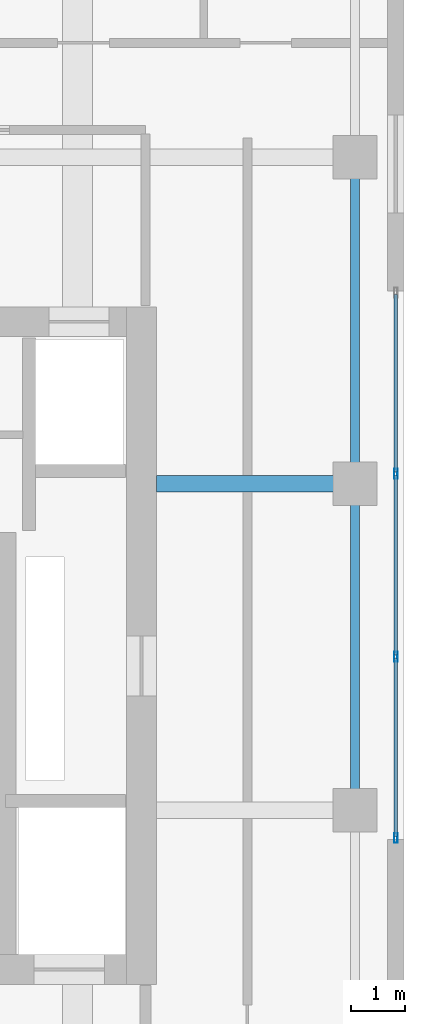
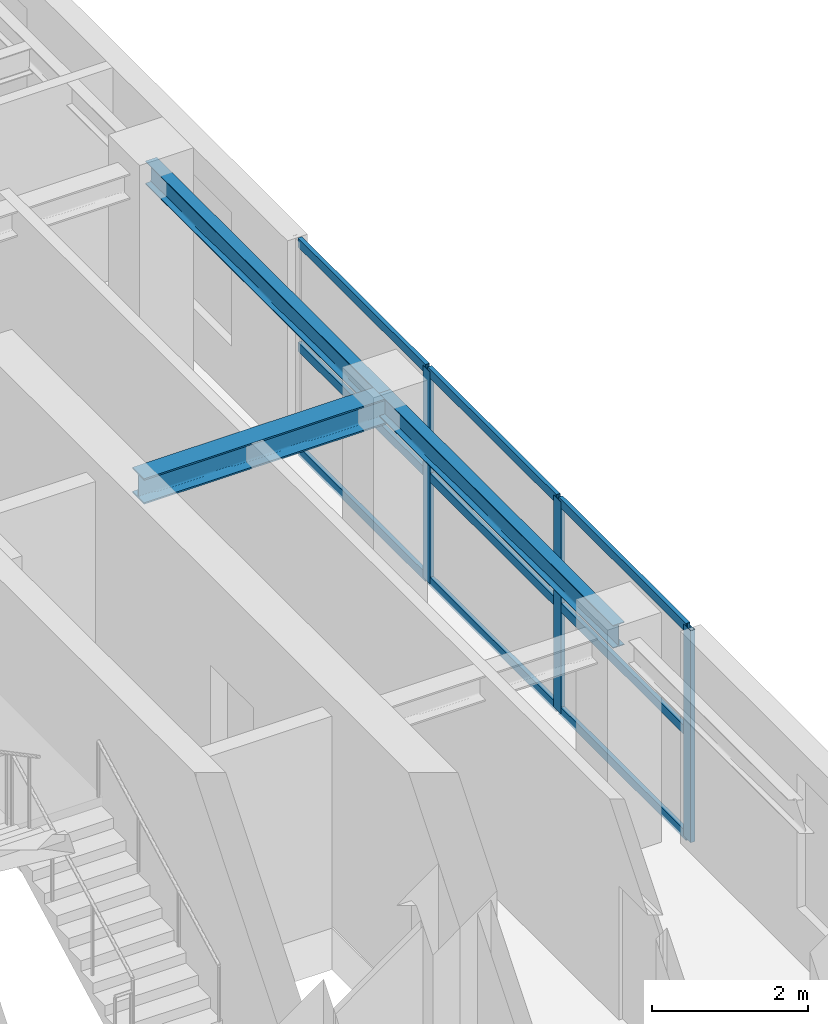
# One storey, part 10 of 21: 12 members, 3 beams, 1 element without a shape of its own.
"""IFC4 building model written with IfcOpenShell, lengths in metres."""

from ifc_helpers import new_model, si_unit, direction, frame, origin, origin_2d, place, context, subcontext, project, spatial, hollow_rectangle, i_section, extrude, source, transform, mapped, material, layer, layer_set, material_profile, profile_set, type_object, element, aggregate, save


model = new_model("IFC4")

# Units and contexts
model_context = context("Model", 3, precision=1e-05, world=origin(), true_north=direction((0.0, 1.0)))
body_context = subcontext(model_context, "Body", "Model", "MODEL_VIEW")
ifc_project = project(units=[si_unit("LENGTHUNIT", "METRE"), si_unit("AREAUNIT", "SQUARE_METRE"), si_unit("VOLUMEUNIT", "CUBIC_METRE"), si_unit("PLANEANGLEUNIT", "RADIAN"), si_unit("MASSUNIT", "GRAM", prefix="KILO")], contexts=[model_context])

# Site, building, storey
site_placement = place(None, origin())
site = spatial("IfcSite", under=ifc_project, at=site_placement, CompositionType="ELEMENT")
building_placement = place(site_placement, origin())
building = spatial("IfcBuilding", under=site, at=building_placement, Name="Khoralis Quay Care Tower", CompositionType="ELEMENT")
storey_placement = place(building_placement, frame((0.0, 0.0, 267.300048828125)))
storey = spatial("IfcBuildingStorey", under=building, at=storey_placement, Name="L70", CompositionType="ELEMENT", Elevation=267.300048828125)

# Beams
ifc_material_1 = material(Name="Steel S355", Category="steel")
ifc_material_profile_1 = material_profile(ifc_material_1, i_section(OverallWidth=0.169921875, OverallDepth=0.360107421875, WebThickness=0.008056640625, FlangeThickness=0.0126953125, FilletRadius=0.01806640625, at=origin_2d()), Name="Steel S355")
ifc_profile_set_1 = profile_set([ifc_material_profile_1], Name="Steel S355")
beam_type_1 = type_object("IfcBeamType", Name="BM-IPE360", PredefinedType="SPANDREL", material=ifc_profile_set_1)
shared_shape_1 = source(origin(), body_context, "Body", "SweptSolid", [
    extrude(i_section(OverallWidth=0.169921875, OverallDepth=0.360107421875, WebThickness=0.008056640625, FlangeThickness=0.0126953125, FilletRadius=0.01806640625, at=origin_2d()), origin(), (0.0, 0.0, 1.0), 6.0),
])
for number, where, z_axis, x_axis, name in (
    (1, (41.10009765625, 18.0, 3.139892578125), (0.0, 1.0, 0.0), (-1.0, 0.0, 0.0), "BM-TSP-L70-14"),
    (2, (41.10009765625, 24.0, 3.139892578125), (0.0, 1.0, 0.0), (-1.0, 0.0, 0.0), "BM-TSP-L70-15"),
):
    element("IfcBeam", number, at=place(storey_placement, frame(where, z_axis=z_axis, x_axis=x_axis)), inside=storey, type_object=beam_type_1, Name=name, PredefinedType="SPANDREL", context=body_context, shape_type="MappedRepresentation", body=[
        mapped(shared_shape_1, transform((0.0, 0.0, 0.0), scale=1.0)),
    ])
ifc_material_profile_2 = material_profile(ifc_material_1, i_section(OverallWidth=0.300048828125, OverallDepth=0.39990234375, WebThickness=0.013427734375, FlangeThickness=0.02392578125, FilletRadius=0.027099609375, at=origin_2d()), Name="Steel S355")
ifc_profile_set_2 = profile_set([ifc_material_profile_2], Name="Steel S355")
beam_type_2 = type_object("IfcBeamType", Name="BM-HEB400", PredefinedType="BEAM", material=ifc_profile_set_2)
shared_shape_2 = source(origin(), body_context, "Body", "SweptSolid", [
    extrude(i_section(OverallWidth=0.300048828125, OverallDepth=0.39990234375, WebThickness=0.013427734375, FlangeThickness=0.02392578125, FilletRadius=0.027099609375, at=origin_2d()), origin(), (0.0, 0.0, 1.0), 3.652099609375),
])
beam_placement = place(storey_placement, frame((37.447998046875, 24.0, 3.119873046875), z_axis=(1.0, 0.0, 0.0), x_axis=(0.0, 1.0, 0.0)))
element("IfcBeam", 3, at=beam_placement, inside=storey, type_object=beam_type_2, Name="BM-TGXE-L70-240", PredefinedType="BEAM", context=body_context, shape_type="MappedRepresentation", body=[
    mapped(shared_shape_2, transform((0.0, 0.0, 0.0), scale=1.0)),
])

# Curtain wall, members
ifc_material_2 = material(Name="Pale anodised aluminium", Category="aluminium")
ifc_layer = layer(ifc_material_2, 0.159912109375)
ifc_layer_set = layer_set([ifc_layer], Name="Pale anodised aluminium")
curtain_wall_type = type_object("IfcCurtainWallType", Name="CW-SYS-Z3", PredefinedType="NOTDEFINED", material=ifc_layer_set)
curtain_wall_placement = place(storey_placement, origin())
curtain_wall = element("IfcCurtainWall", 4, at=curtain_wall_placement, inside=storey, type_object=curtain_wall_type, Name="L70 Unitised Curtain Wall CW-L70-P1-E5", PredefinedType="NOTDEFINED")
ifc_material_profile_3 = material_profile(ifc_material_2, hollow_rectangle(XDim=0.06494140625, YDim=0.179931640625, WallThickness=0.00390625, at=origin_2d()), Name="Pale anodised aluminium")
ifc_profile_set_3 = profile_set([ifc_material_profile_3], Name="Pale anodised aluminium")
member_type_1 = type_object("IfcMemberType", Name="CW-MUL-180", PredefinedType="MULLION", material=ifc_profile_set_3)
shared_shape_3 = source(origin(), body_context, "Body", "SweptSolid", [
    extrude(hollow_rectangle(XDim=0.06494140625, YDim=0.179931640625, WallThickness=0.00390625, at=origin_2d()), origin(), (0.0, 0.0, 1.0), 3.320068359375),
])
member_1_placement = place(storey_placement, frame((41.85009765625, 17.489990234375, 0.0), z_axis=(0.0, 0.0, 1.0), x_axis=(-1.0, 0.0, 0.0)))
member_1 = element("IfcMember", 5, at=member_1_placement, type_object=member_type_1, Name="CW3 mullion 1", PredefinedType="MULLION", context=body_context, shape_type="MappedRepresentation", body=[
    mapped(shared_shape_3, transform((0.0, 0.0, 0.0), scale=1.0)),
])
member_2_placement = place(storey_placement, frame((41.85009765625, 20.820068359375, 0.0), z_axis=(0.0, 0.0, 1.0), x_axis=(-1.0, 0.0, 0.0)))
member_2 = element("IfcMember", 6, at=member_2_placement, type_object=member_type_1, Name="CW3 mullion 2", PredefinedType="MULLION", context=body_context, shape_type="MappedRepresentation", body=[
    mapped(shared_shape_3, transform((0.0, 0.0, 0.0), scale=1.0)),
])
member_3_placement = place(storey_placement, frame((41.85009765625, 24.179931640625, 0.0), z_axis=(0.0, 0.0, 1.0), x_axis=(-1.0, 0.0, 0.0)))
member_3 = element("IfcMember", 7, at=member_3_placement, type_object=member_type_1, Name="CW3 mullion 3", PredefinedType="MULLION", context=body_context, shape_type="MappedRepresentation", body=[
    mapped(shared_shape_3, transform((0.0, 0.0, 0.0), scale=1.0)),
])
ifc_material_profile_4 = material_profile(ifc_material_2, hollow_rectangle(XDim=0.06005859375, YDim=0.139892578125, WallThickness=0.00390625, at=origin_2d()), Name="Pale anodised aluminium")
ifc_profile_set_4 = profile_set([ifc_material_profile_4], Name="Pale anodised aluminium")
member_type_2 = type_object("IfcMemberType", Name="CW-TRN-140", PredefinedType="USERDEFINED", material=ifc_profile_set_4)
shared_shape_4 = source(origin(), body_context, "Body", "SweptSolid", [
    extrude(hollow_rectangle(XDim=0.06005859375, YDim=0.139892578125, WallThickness=0.00390625, at=origin_2d()), origin(), (0.0, 0.0, 1.0), 3.27001953125),
])
member_4_placement = place(storey_placement, frame((41.85009765625, 17.52001953125, 0.030029296875), z_axis=(0.0, 1.0, 0.0), x_axis=(-1.0, 0.0, 0.0)))
member_4 = element("IfcMember", 8, at=member_4_placement, type_object=member_type_2, Name="CW3 transom 1.1", ObjectType="TRANSOM", PredefinedType="USERDEFINED", context=body_context, shape_type="MappedRepresentation", body=[
    mapped(shared_shape_4, transform((0.0, 0.0, 0.0), scale=1.0)),
])
member_5_placement = place(storey_placement, frame((41.85009765625, 17.52001953125, 1.659912109375), z_axis=(0.0, 1.0, 0.0), x_axis=(-1.0, 0.0, 0.0)))
member_5 = element("IfcMember", 9, at=member_5_placement, type_object=member_type_2, Name="CW3 transom 1.2", ObjectType="TRANSOM", PredefinedType="USERDEFINED", context=body_context, shape_type="MappedRepresentation", body=[
    mapped(shared_shape_4, transform((0.0, 0.0, 0.0), scale=1.0)),
])
member_6_placement = place(storey_placement, frame((41.85009765625, 17.52001953125, 3.2900390625), z_axis=(0.0, 1.0, 0.0), x_axis=(-1.0, 0.0, 0.0)))
member_6 = element("IfcMember", 10, at=member_6_placement, type_object=member_type_2, Name="CW3 transom 1.3", ObjectType="TRANSOM", PredefinedType="USERDEFINED", context=body_context, shape_type="MappedRepresentation", body=[
    mapped(shared_shape_4, transform((0.0, 0.0, 0.0), scale=1.0)),
])
member_7_placement = place(storey_placement, frame((41.85009765625, 24.2099609375, 0.030029296875), z_axis=(0.0, 1.0, 0.0), x_axis=(-1.0, 0.0, 0.0)))
member_7 = element("IfcMember", 11, at=member_7_placement, type_object=member_type_2, Name="CW3 transom 3.1", ObjectType="TRANSOM", PredefinedType="USERDEFINED", context=body_context, shape_type="MappedRepresentation", body=[
    mapped(shared_shape_4, transform((0.0, 0.0, 0.0), scale=1.0)),
])
member_8_placement = place(storey_placement, frame((41.85009765625, 24.2099609375, 1.659912109375), z_axis=(0.0, 1.0, 0.0), x_axis=(-1.0, 0.0, 0.0)))
member_8 = element("IfcMember", 12, at=member_8_placement, type_object=member_type_2, Name="CW3 transom 3.2", ObjectType="TRANSOM", PredefinedType="USERDEFINED", context=body_context, shape_type="MappedRepresentation", body=[
    mapped(shared_shape_4, transform((0.0, 0.0, 0.0), scale=1.0)),
])
member_9_placement = place(storey_placement, frame((41.85009765625, 24.2099609375, 3.2900390625), z_axis=(0.0, 1.0, 0.0), x_axis=(-1.0, 0.0, 0.0)))
member_9 = element("IfcMember", 13, at=member_9_placement, type_object=member_type_2, Name="CW3 transom 3.3", ObjectType="TRANSOM", PredefinedType="USERDEFINED", context=body_context, shape_type="MappedRepresentation", body=[
    mapped(shared_shape_4, transform((0.0, 0.0, 0.0), scale=1.0)),
])
shared_shape_5 = source(origin(), body_context, "Body", "SweptSolid", [
    extrude(hollow_rectangle(XDim=0.06005859375, YDim=0.139892578125, WallThickness=0.00390625, at=origin_2d()), origin(), (0.0, 0.0, 1.0), 3.2998046875),
])
member_10_placement = place(storey_placement, frame((41.85009765625, 20.85009765625, 0.030029296875), z_axis=(0.0, 1.0, 0.0), x_axis=(-1.0, 0.0, 0.0)))
member_10 = element("IfcMember", 14, at=member_10_placement, type_object=member_type_2, Name="CW3 transom 2.1", ObjectType="TRANSOM", PredefinedType="USERDEFINED", context=body_context, shape_type="MappedRepresentation", body=[
    mapped(shared_shape_5, transform((0.0, 0.0, 0.0), scale=1.0)),
])
member_11_placement = place(storey_placement, frame((41.85009765625, 20.85009765625, 1.659912109375), z_axis=(0.0, 1.0, 0.0), x_axis=(-1.0, 0.0, 0.0)))
member_11 = element("IfcMember", 15, at=member_11_placement, type_object=member_type_2, Name="CW3 transom 2.2", ObjectType="TRANSOM", PredefinedType="USERDEFINED", context=body_context, shape_type="MappedRepresentation", body=[
    mapped(shared_shape_5, transform((0.0, 0.0, 0.0), scale=1.0)),
])
member_12_placement = place(storey_placement, frame((41.85009765625, 20.85009765625, 3.2900390625), z_axis=(0.0, 1.0, 0.0), x_axis=(-1.0, 0.0, 0.0)))
member_12 = element("IfcMember", 16, at=member_12_placement, type_object=member_type_2, Name="CW3 transom 2.3", ObjectType="TRANSOM", PredefinedType="USERDEFINED", context=body_context, shape_type="MappedRepresentation", body=[
    mapped(shared_shape_5, transform((0.0, 0.0, 0.0), scale=1.0)),
])
aggregate(curtain_wall, [member_1, member_2, member_3, member_4, member_5, member_6, member_10, member_11, member_12, member_7, member_8, member_9])

save(model, "model.ifc")
